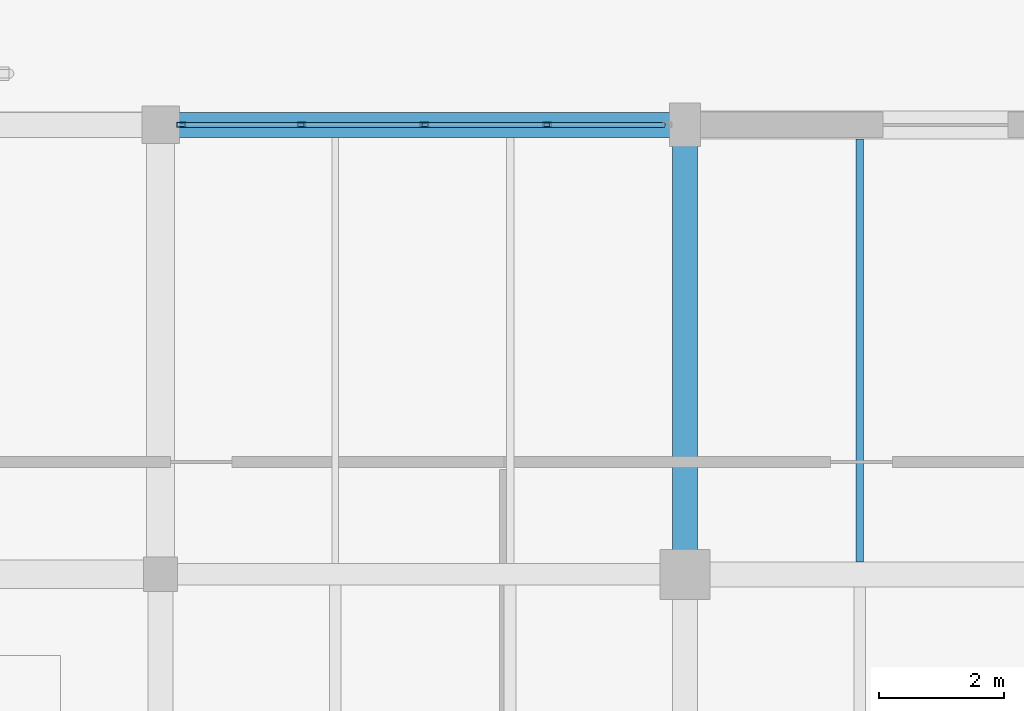
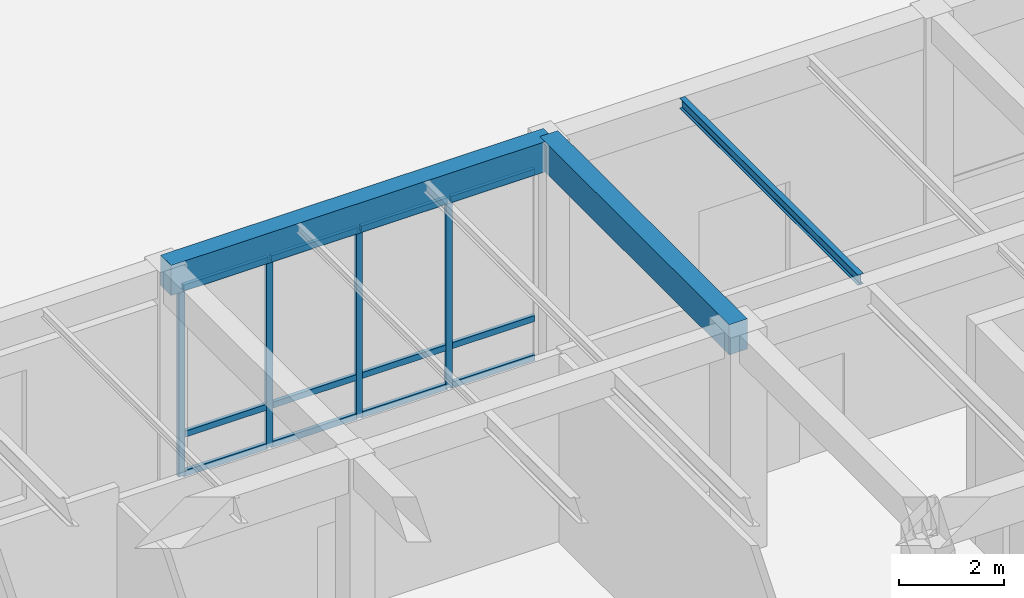
# One storey, part 51 of 169: 16 members, 3 beams, 1 element without a shape of its own.
"""IFC4 building model written with IfcOpenShell, lengths in metres."""

from ifc_helpers import new_model, si_unit, direction, frame, origin, origin_2d, place, context, subcontext, project, spatial, rectangle, hollow_rectangle, i_section, extrude, material, layer, layer_set, material_profile, profile_set, type_object, element, aggregate, save


model = new_model("IFC4")

# Units and contexts
model_context = context("Model", 3, precision=1e-05, world=origin(), true_north=direction((0.0, 1.0)))
body_context = subcontext(model_context, "Body", "Model", "MODEL_VIEW")
ifc_project = project(units=[si_unit("LENGTHUNIT", "METRE"), si_unit("AREAUNIT", "SQUARE_METRE"), si_unit("VOLUMEUNIT", "CUBIC_METRE"), si_unit("PLANEANGLEUNIT", "RADIAN"), si_unit("MASSUNIT", "GRAM", prefix="KILO")], contexts=[model_context])

# Site, building, storey
site_placement = place(None, origin())
site = spatial("IfcSite", under=ifc_project, at=site_placement, CompositionType="ELEMENT")
building_placement = place(site_placement, origin())
building = spatial("IfcBuilding", under=site, at=building_placement, Name="Mazaris Harbour Polytechnic", CompositionType="ELEMENT")
storey_placement = place(building_placement, origin())
storey = spatial("IfcBuildingStorey", under=building, at=storey_placement, Name="L00", CompositionType="ELEMENT", Elevation=0.0)

# Curtain wall, members
ifc_material_1 = material(Name="Anodised Bronze Aluminium and Low-E Glass", Category="aluminium")
ifc_layer = layer(ifc_material_1, 0.159912109375, Name="Anodised Bronze Aluminium and Low-E Glass")
ifc_layer_set = layer_set([ifc_layer], Name="Anodised Bronze Aluminium and Low-E Glass")
curtain_wall_type = type_object("IfcCurtainWallType", Name="Cloister Court Curtain Wall", PredefinedType="NOTDEFINED", material=ifc_layer_set)
curtain_wall_placement = place(storey_placement, origin())
curtain_wall = element("IfcCurtainWall", 1, at=curtain_wall_placement, inside=storey, type_object=curtain_wall_type, Name="V3 L00 Curtain Wall 66", PredefinedType="NOTDEFINED")
ifc_material_2 = material(Name="Anodised Bronze Steel S355", Category="steel")
ifc_material_profile_1 = material_profile(ifc_material_2, hollow_rectangle(XDim=0.080078125, YDim=0.139892578125, WallThickness=0.00634765625, at=origin_2d()), Name="RHS 80x140x6.3")
ifc_profile_set_1 = profile_set([ifc_material_profile_1], Name="Anodised Bronze Steel S355")
member_type_1 = type_object("IfcMemberType", Name="Curtain Mullion RHS80x140", PredefinedType="MULLION", material=ifc_profile_set_1)
member_1_placement = place(storey_placement, frame((87.931884765625, 36.0, 0.0), z_axis=(0.0, 0.0, 1.0), x_axis=(0.0, 1.0, 0.0)))
member_1 = element("IfcMember", 2, at=member_1_placement, type_object=member_type_1, Name="CW-02 mullion 1", PredefinedType="MULLION", context=body_context, shape_type="SweptSolid", body=[
    extrude(hollow_rectangle(XDim=0.080078125, YDim=0.139892578125, WallThickness=0.00634765625, at=origin_2d()), origin(), (0.0, 0.0, 1.0), 4.389892578125),
])
member_2_placement = place(storey_placement, frame((89.8583984375, 36.0, 0.0), z_axis=(0.0, 0.0, 1.0), x_axis=(0.0, 1.0, 0.0)))
member_2 = element("IfcMember", 3, at=member_2_placement, type_object=member_type_1, Name="CW-02 mullion 2", PredefinedType="MULLION", context=body_context, shape_type="SweptSolid", body=[
    extrude(hollow_rectangle(XDim=0.080078125, YDim=0.139892578125, WallThickness=0.00634765625, at=origin_2d()), origin(), (0.0, 0.0, 1.0), 4.389892578125),
])
member_3_placement = place(storey_placement, frame((91.824951171875, 36.0, 0.0), z_axis=(0.0, 0.0, 1.0), x_axis=(0.0, 1.0, 0.0)))
member_3 = element("IfcMember", 4, at=member_3_placement, type_object=member_type_1, Name="CW-02 mullion 3", PredefinedType="MULLION", context=body_context, shape_type="SweptSolid", body=[
    extrude(hollow_rectangle(XDim=0.080078125, YDim=0.139892578125, WallThickness=0.00634765625, at=origin_2d()), origin(), (0.0, 0.0, 1.0), 4.389892578125),
])
member_4_placement = place(storey_placement, frame((93.79150390625, 36.0, 0.0), z_axis=(0.0, 0.0, 1.0), x_axis=(0.0, 1.0, 0.0)))
member_4 = element("IfcMember", 5, at=member_4_placement, type_object=member_type_1, Name="CW-02 mullion 4", PredefinedType="MULLION", context=body_context, shape_type="SweptSolid", body=[
    extrude(hollow_rectangle(XDim=0.080078125, YDim=0.139892578125, WallThickness=0.00634765625, at=origin_2d()), origin(), (0.0, 0.0, 1.0), 4.389892578125),
])
ifc_material_3 = material(Name="Anodised Bronze Steel S355", Category="steel")
ifc_material_profile_2 = material_profile(ifc_material_3, hollow_rectangle(XDim=0.080078125, YDim=0.139892578125, WallThickness=0.00634765625, at=origin_2d()), Name="RHS 80x140x6.3")
ifc_profile_set_2 = profile_set([ifc_material_profile_2], Name="Anodised Bronze Steel S355")
member_type_2 = type_object("IfcMemberType", Name="Curtain Transom RHS80x140", PredefinedType="USERDEFINED", material=ifc_profile_set_2)
member_5_placement = place(storey_placement, frame((87.971923828125, 36.0, 0.0400390625), z_axis=(1.0, 0.0, 0.0), x_axis=(0.0, 1.0, 0.0)))
member_5 = element("IfcMember", 6, at=member_5_placement, type_object=member_type_2, Name="CW-02 transom 1.1", ObjectType="TRANSOM", PredefinedType="USERDEFINED", context=body_context, shape_type="SweptSolid", body=[
    extrude(hollow_rectangle(XDim=0.080078125, YDim=0.139892578125, WallThickness=0.00634765625, at=origin_2d()), origin(), (0.0, 0.0, 1.0), 1.8466796875),
])
member_6_placement = place(storey_placement, frame((87.971923828125, 36.0, 0.949951171875), z_axis=(1.0, 0.0, 0.0), x_axis=(0.0, 1.0, 0.0)))
member_6 = element("IfcMember", 7, at=member_6_placement, type_object=member_type_2, Name="CW-02 transom 1.2", ObjectType="TRANSOM", PredefinedType="USERDEFINED", context=body_context, shape_type="SweptSolid", body=[
    extrude(hollow_rectangle(XDim=0.080078125, YDim=0.139892578125, WallThickness=0.00634765625, at=origin_2d()), origin(), (0.0, 0.0, 1.0), 1.8466796875),
])
member_7_placement = place(storey_placement, frame((87.971923828125, 36.0, 4.35009765625), z_axis=(1.0, 0.0, 0.0), x_axis=(0.0, 1.0, 0.0)))
member_7 = element("IfcMember", 8, at=member_7_placement, type_object=member_type_2, Name="CW-02 transom 1.3", ObjectType="TRANSOM", PredefinedType="USERDEFINED", context=body_context, shape_type="SweptSolid", body=[
    extrude(hollow_rectangle(XDim=0.080078125, YDim=0.139892578125, WallThickness=0.00634765625, at=origin_2d()), origin(), (0.0, 0.0, 1.0), 1.8466796875),
])
member_8_placement = place(storey_placement, frame((89.8984375, 36.0, 0.0400390625), z_axis=(1.0, 0.0, 0.0), x_axis=(0.0, 1.0, 0.0)))
member_8 = element("IfcMember", 9, at=member_8_placement, type_object=member_type_2, Name="CW-02 transom 2.1", ObjectType="TRANSOM", PredefinedType="USERDEFINED", context=body_context, shape_type="SweptSolid", body=[
    extrude(hollow_rectangle(XDim=0.080078125, YDim=0.139892578125, WallThickness=0.00634765625, at=origin_2d()), origin(), (0.0, 0.0, 1.0), 1.886474609375),
])
member_9_placement = place(storey_placement, frame((89.8984375, 36.0, 0.949951171875), z_axis=(1.0, 0.0, 0.0), x_axis=(0.0, 1.0, 0.0)))
member_9 = element("IfcMember", 10, at=member_9_placement, type_object=member_type_2, Name="CW-02 transom 2.2", ObjectType="TRANSOM", PredefinedType="USERDEFINED", context=body_context, shape_type="SweptSolid", body=[
    extrude(hollow_rectangle(XDim=0.080078125, YDim=0.139892578125, WallThickness=0.00634765625, at=origin_2d()), origin(), (0.0, 0.0, 1.0), 1.886474609375),
])
member_10_placement = place(storey_placement, frame((89.8984375, 36.0, 4.35009765625), z_axis=(1.0, 0.0, 0.0), x_axis=(0.0, 1.0, 0.0)))
member_10 = element("IfcMember", 11, at=member_10_placement, type_object=member_type_2, Name="CW-02 transom 2.3", ObjectType="TRANSOM", PredefinedType="USERDEFINED", context=body_context, shape_type="SweptSolid", body=[
    extrude(hollow_rectangle(XDim=0.080078125, YDim=0.139892578125, WallThickness=0.00634765625, at=origin_2d()), origin(), (0.0, 0.0, 1.0), 1.886474609375),
])
member_11_placement = place(storey_placement, frame((91.864990234375, 36.0, 0.0400390625), z_axis=(1.0, 0.0, 0.0), x_axis=(0.0, 1.0, 0.0)))
member_11 = element("IfcMember", 12, at=member_11_placement, type_object=member_type_2, Name="CW-02 transom 3.1", ObjectType="TRANSOM", PredefinedType="USERDEFINED", context=body_context, shape_type="SweptSolid", body=[
    extrude(hollow_rectangle(XDim=0.080078125, YDim=0.139892578125, WallThickness=0.00634765625, at=origin_2d()), origin(), (0.0, 0.0, 1.0), 1.886474609375),
])
member_12_placement = place(storey_placement, frame((91.864990234375, 36.0, 0.949951171875), z_axis=(1.0, 0.0, 0.0), x_axis=(0.0, 1.0, 0.0)))
member_12 = element("IfcMember", 13, at=member_12_placement, type_object=member_type_2, Name="CW-02 transom 3.2", ObjectType="TRANSOM", PredefinedType="USERDEFINED", context=body_context, shape_type="SweptSolid", body=[
    extrude(hollow_rectangle(XDim=0.080078125, YDim=0.139892578125, WallThickness=0.00634765625, at=origin_2d()), origin(), (0.0, 0.0, 1.0), 1.886474609375),
])
member_13_placement = place(storey_placement, frame((91.864990234375, 36.0, 4.35009765625), z_axis=(1.0, 0.0, 0.0), x_axis=(0.0, 1.0, 0.0)))
member_13 = element("IfcMember", 14, at=member_13_placement, type_object=member_type_2, Name="CW-02 transom 3.3", ObjectType="TRANSOM", PredefinedType="USERDEFINED", context=body_context, shape_type="SweptSolid", body=[
    extrude(hollow_rectangle(XDim=0.080078125, YDim=0.139892578125, WallThickness=0.00634765625, at=origin_2d()), origin(), (0.0, 0.0, 1.0), 1.886474609375),
])
member_14_placement = place(storey_placement, frame((93.83154296875, 36.0, 0.0400390625), z_axis=(1.0, 0.0, 0.0), x_axis=(0.0, 1.0, 0.0)))
member_14 = element("IfcMember", 15, at=member_14_placement, type_object=member_type_2, Name="CW-02 transom 4.1", ObjectType="TRANSOM", PredefinedType="USERDEFINED", context=body_context, shape_type="SweptSolid", body=[
    extrude(hollow_rectangle(XDim=0.080078125, YDim=0.139892578125, WallThickness=0.00634765625, at=origin_2d()), origin(), (0.0, 0.0, 1.0), 1.846435546875),
])
member_15_placement = place(storey_placement, frame((93.83154296875, 36.0, 0.949951171875), z_axis=(1.0, 0.0, 0.0), x_axis=(0.0, 1.0, 0.0)))
member_15 = element("IfcMember", 16, at=member_15_placement, type_object=member_type_2, Name="CW-02 transom 4.2", ObjectType="TRANSOM", PredefinedType="USERDEFINED", context=body_context, shape_type="SweptSolid", body=[
    extrude(hollow_rectangle(XDim=0.080078125, YDim=0.139892578125, WallThickness=0.00634765625, at=origin_2d()), origin(), (0.0, 0.0, 1.0), 1.846435546875),
])
member_16_placement = place(storey_placement, frame((93.83154296875, 36.0, 4.35009765625), z_axis=(1.0, 0.0, 0.0), x_axis=(0.0, 1.0, 0.0)))
member_16 = element("IfcMember", 17, at=member_16_placement, type_object=member_type_2, Name="CW-02 transom 4.3", ObjectType="TRANSOM", PredefinedType="USERDEFINED", context=body_context, shape_type="SweptSolid", body=[
    extrude(hollow_rectangle(XDim=0.080078125, YDim=0.139892578125, WallThickness=0.00634765625, at=origin_2d()), origin(), (0.0, 0.0, 1.0), 1.846435546875),
])
aggregate(curtain_wall, [member_1, member_2, member_3, member_4, member_5, member_6, member_7, member_8, member_9, member_10, member_11, member_12, member_13, member_14, member_15, member_16])

# Beams
ifc_material_4 = material(Name="Concrete C35/45", Category="concrete")
ifc_material_profile_3 = material_profile(ifc_material_4, rectangle(XDim=0.39990234375, YDim=0.699951171875, at=origin_2d()), Name="RECT400x700")
ifc_profile_set_3 = profile_set([ifc_material_profile_3], Name="Concrete C35/45")
beam_type_1 = type_object("IfcBeamType", Name="RC Girder 400x700", PredefinedType="BEAM", material=ifc_profile_set_3)
beam_1_placement = place(storey_placement, frame((96.0, 28.800048828125, 4.75), z_axis=(0.0, 1.0, 0.0), x_axis=(-1.0, 0.0, 0.0)))
element("IfcBeam", 18, at=beam_1_placement, inside=storey, type_object=beam_type_1, Name="V3 L00 Tie Girder 912", PredefinedType="BEAM", context=body_context, shape_type="SweptSolid", body=[
    extrude(rectangle(XDim=0.39990234375, YDim=0.699951171875, at=origin_2d()), origin(), (0.0, 0.0, 1.0), 7.199951171875),
])
ifc_material_5 = material(Name="Concrete C35/45", Category="concrete")
ifc_material_profile_4 = material_profile(ifc_material_5, rectangle(XDim=0.39990234375, YDim=0.699951171875, at=origin_2d()), Name="RECT400x700")
ifc_profile_set_4 = profile_set([ifc_material_profile_4], Name="Concrete C35/45")
beam_type_2 = type_object("IfcBeamType", Name="RC Girder 400x700 Exterior", PredefinedType="BEAM", material=ifc_profile_set_4)
beam_2_placement = place(storey_placement, frame((87.60009765625, 36.0, 4.75), z_axis=(1.0, 0.0, 0.0), x_axis=(0.0, 1.0, 0.0)))
element("IfcBeam", 19, at=beam_2_placement, inside=storey, type_object=beam_type_2, Name="V3 L00 Girder 887", PredefinedType="BEAM", context=body_context, shape_type="SweptSolid", body=[
    extrude(rectangle(XDim=0.39990234375, YDim=0.699951171875, at=origin_2d()), origin(), (0.0, 0.0, 1.0), 8.39990234375),
])
ifc_material_6 = material(Name="Steel S355", Category="steel")
ifc_material_profile_5 = material_profile(ifc_material_6, i_section(OverallWidth=0.1201171875, OverallDepth=0.239990234375, WebThickness=0.006103515625, FlangeThickness=0.009765625, FilletRadius=0.014892578125, at=origin_2d()), Name="IPE 240")
ifc_profile_set_5 = profile_set([ifc_material_profile_5], Name="Steel S355")
beam_type_3 = type_object("IfcBeamType", Name="Steel Joist IPE240", PredefinedType="JOIST", material=ifc_profile_set_5)
beam_3_placement = place(storey_placement, frame((98.800048828125, 29.0, 4.97998046875), z_axis=(0.0, 1.0, 0.0), x_axis=(-1.0, 0.0, 0.0)))
element("IfcBeam", 20, at=beam_3_placement, inside=storey, type_object=beam_type_3, Name="V3 L00 Floor Joist 960", PredefinedType="JOIST", context=body_context, shape_type="SweptSolid", body=[
    extrude(i_section(OverallWidth=0.1201171875, OverallDepth=0.239990234375, WebThickness=0.006103515625, FlangeThickness=0.009765625, FilletRadius=0.014892578125, at=origin_2d()), origin(), (0.0, 0.0, 1.0), 6.77490234375),
])

save(model, "model.ifc")
